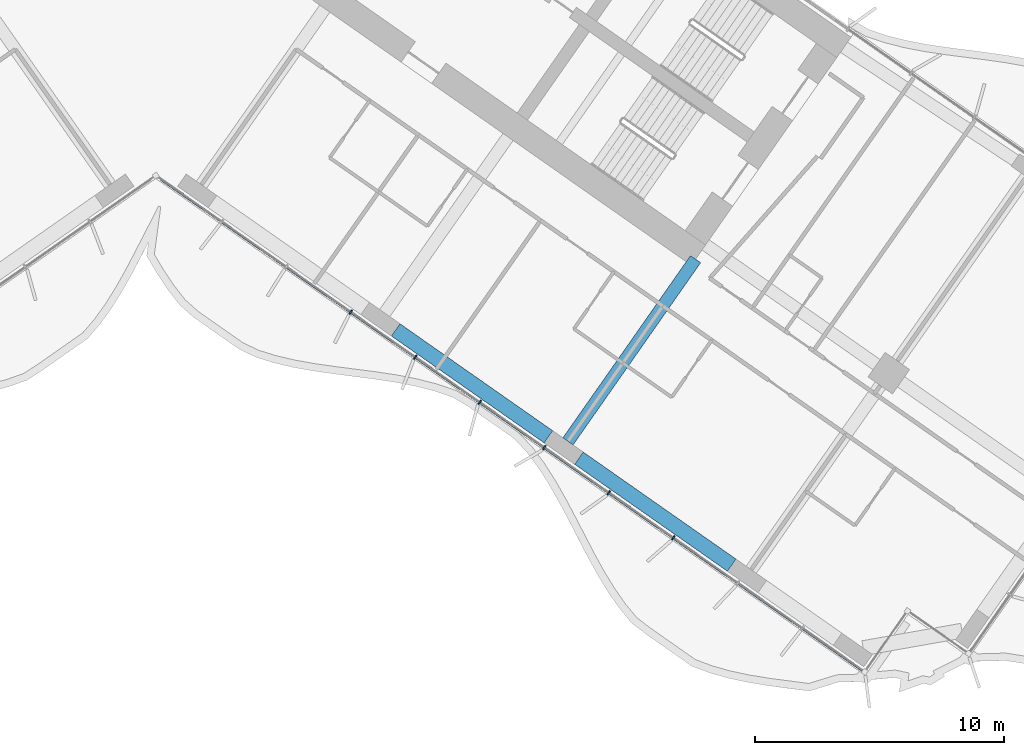
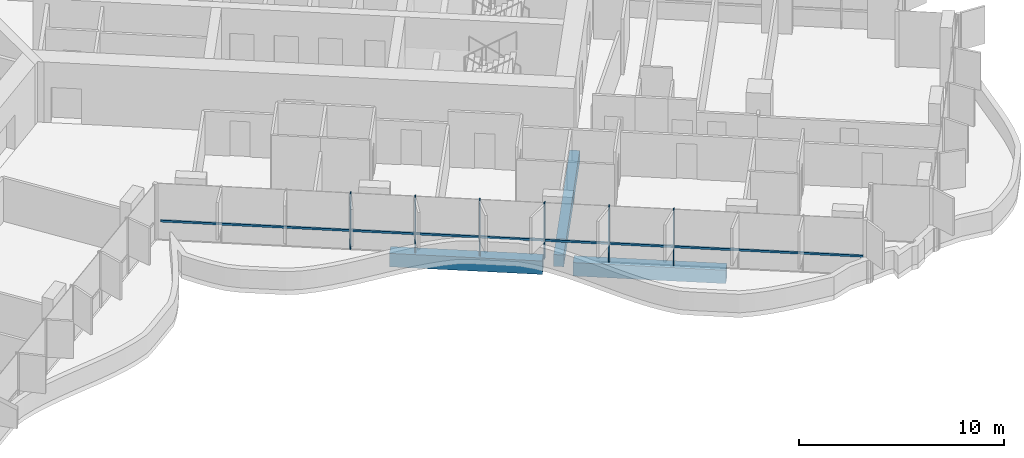
# One storey, part 5 of 23: 7 members, 3 beams, 1 element without a shape of its own.
"""IFC4 building model written with IfcOpenShell, lengths in metres."""

from ifc_helpers import new_model, si_unit, direction, frame, origin, origin_2d, place, context, subcontext, project, spatial, rectangle, extrude, material, material_profile, profile_set, type_object, element, aggregate, save


model = new_model("IFC4")

# Units and contexts
model_context = context("Model", 3, precision=1e-05, world=origin(), true_north=direction((0.0, 1.0)))
body_context = subcontext(model_context, "Body", "Model", "MODEL_VIEW")
ifc_project = project(units=[si_unit("LENGTHUNIT", "METRE"), si_unit("AREAUNIT", "SQUARE_METRE"), si_unit("VOLUMEUNIT", "CUBIC_METRE"), si_unit("PLANEANGLEUNIT", "RADIAN"), si_unit("MASSUNIT", "GRAM", prefix="KILO")], contexts=[model_context])

# Site, building, storey
site_placement = place(None, origin())
site = spatial("IfcSite", under=ifc_project, at=site_placement, CompositionType="ELEMENT")
building_placement = place(site_placement, origin())
building = spatial("IfcBuilding", under=site, at=building_placement, Name="Tel Ilan Convention Tower", CompositionType="ELEMENT")
storey_placement = place(building_placement, frame((0.0, 0.0, 108.5)))
storey = spatial("IfcBuildingStorey", under=building, at=storey_placement, Name="L23", CompositionType="ELEMENT", Elevation=108.5)

# Beams
ifc_material_1 = material(Name="Concrete C40/50", Category="concrete")
ifc_material_profile_1 = material_profile(ifc_material_1, rectangle(XDim=0.5, YDim=0.699951171875, at=origin_2d()), Name="RC 500x700")
ifc_profile_set_1 = profile_set([ifc_material_profile_1], Name="Concrete C40/50")
beam_type_1 = type_object("IfcBeamType", Name="Beam RC 500x700 Concrete C40/50", PredefinedType="BEAM", material=ifc_profile_set_1)
beam_placement = place(storey_placement, frame((16.58203125, -23.391357421875, -0.6298828125), z_axis=(0.573584999642, 0.819146048141, 0.0), x_axis=(-0.819146048141, 0.573584999642, 0.0)))
element("IfcBeam", 1, at=beam_placement, inside=storey, type_object=beam_type_1, Name="L23 beam E-E-F3-core", PredefinedType="BEAM", context=body_context, shape_type="SweptSolid", body=[
    extrude(rectangle(XDim=0.5, YDim=0.699951171875, at=origin_2d()), origin(), (0.0, 0.0, 1.0), 8.949951171875),
])
ifc_material_2 = material(Name="Concrete C40/50", Category="concrete")
ifc_material_profile_2 = material_profile(ifc_material_2, rectangle(XDim=0.60009765625, YDim=0.800048828125, at=origin_2d()), Name="RC 600x800")
ifc_profile_set_2 = profile_set([ifc_material_profile_2], Name="Concrete C40/50")
beam_type_2 = type_object("IfcBeamType", Name="Beam RC 600x800 Concrete C40/50", PredefinedType="BEAM", material=ifc_profile_set_2)
for number, where, z_axis, x_axis, name in (
    (2, (9.652099609375, -18.905029296875, -0.679931640625), (0.81915238829, -0.573575945067, 0.0), (0.573575945067, 0.81915238829, 0.0), "L23 beam E-E-F2-E-F3"),
    (3, (17.0244140625, -24.0673828125, -0.679931640625), (0.81915238829, -0.573575945067, 0.0), (0.573575945067, 0.81915238829, 0.0), "L23 beam E-E-F3-E-F4"),
):
    element("IfcBeam", number, at=place(storey_placement, frame(where, z_axis=z_axis, x_axis=x_axis)), inside=storey, type_object=beam_type_2, Name=name, PredefinedType="BEAM", context=body_context, shape_type="SweptSolid", body=[
        extrude(rectangle(XDim=0.60009765625, YDim=0.800048828125, at=origin_2d()), origin(), (0.0, 0.0, 1.0), 7.5),
    ])

# Curtain wall, members
ifc_material_3 = material(Name="Aluminium, bronze anodised", Category="aluminium")
curtain_wall_type = type_object("IfcCurtainWallType", Name="CW1 UNITISED CURTAIN WALL, HOTEL TINTED GLASS", PredefinedType="NOTDEFINED", material=ifc_material_3)
curtain_wall_placement = place(storey_placement, origin())
curtain_wall = element("IfcCurtainWall", 4, at=curtain_wall_placement, inside=storey, type_object=curtain_wall_type, Name="Curtain wall CW1-19.02", PredefinedType="NOTDEFINED")
ifc_material_4 = material(Name="Aluminium, bronze anodised", Category="aluminium")
ifc_material_profile_3 = material_profile(ifc_material_4, rectangle(XDim=0.06005859375, YDim=0.199951171875, at=origin_2d()), Name="CW MULLION 60x200")
ifc_profile_set_3 = profile_set([ifc_material_profile_3], Name="Aluminium, bronze anodised")
member_type_1 = type_object("IfcMemberType", Name="CW MULLION 60x200", PredefinedType="MULLION", material=ifc_profile_set_3)
member_1_placement = place(storey_placement, frame((7.842529296875, -18.1875, 0.0), z_axis=(0.0, 0.0, 1.0), x_axis=(0.819152044289, -0.573576436351, 0.0)))
member_1 = element("IfcMember", 5, at=member_1_placement, type_object=member_type_1, Name="Mullion", PredefinedType="MULLION", context=body_context, shape_type="SweptSolid", body=[
    extrude(rectangle(XDim=0.06005859375, YDim=0.199951171875, at=origin_2d()), origin(), (0.0, 0.0, 1.0), 3.320068359375),
])
member_2_placement = place(storey_placement, frame((10.4375, -20.004638671875, 0.0), z_axis=(0.0, 0.0, 1.0), x_axis=(0.819152044289, -0.573576436351, 0.0)))
member_2 = element("IfcMember", 6, at=member_2_placement, type_object=member_type_1, Name="Mullion", PredefinedType="MULLION", context=body_context, shape_type="SweptSolid", body=[
    extrude(rectangle(XDim=0.06005859375, YDim=0.199951171875, at=origin_2d()), origin(), (0.0, 0.0, 1.0), 3.320068359375),
])
member_3_placement = place(storey_placement, frame((13.03271484375, -21.821533203125, 0.0), z_axis=(0.0, 0.0, 1.0), x_axis=(0.819152044289, -0.573576436351, 0.0)))
member_3 = element("IfcMember", 7, at=member_3_placement, type_object=member_type_1, Name="Mullion", PredefinedType="MULLION", context=body_context, shape_type="SweptSolid", body=[
    extrude(rectangle(XDim=0.06005859375, YDim=0.199951171875, at=origin_2d()), origin(), (0.0, 0.0, 1.0), 3.320068359375),
])
member_4_placement = place(storey_placement, frame((15.627685546875, -23.638671875, 0.0), z_axis=(0.0, 0.0, 1.0), x_axis=(0.819152044289, -0.573576436351, 0.0)))
member_4 = element("IfcMember", 8, at=member_4_placement, type_object=member_type_1, Name="Mullion", PredefinedType="MULLION", context=body_context, shape_type="SweptSolid", body=[
    extrude(rectangle(XDim=0.06005859375, YDim=0.199951171875, at=origin_2d()), origin(), (0.0, 0.0, 1.0), 3.320068359375),
])
member_5_placement = place(storey_placement, frame((18.222900390625, -25.455810546875, 0.0), z_axis=(0.0, 0.0, 1.0), x_axis=(0.819152044289, -0.573576436351, 0.0)))
member_5 = element("IfcMember", 9, at=member_5_placement, type_object=member_type_1, Name="Mullion", PredefinedType="MULLION", context=body_context, shape_type="SweptSolid", body=[
    extrude(rectangle(XDim=0.06005859375, YDim=0.199951171875, at=origin_2d()), origin(), (0.0, 0.0, 1.0), 3.320068359375),
])
member_6_placement = place(storey_placement, frame((20.81787109375, -27.27294921875, 0.0), z_axis=(0.0, 0.0, 1.0), x_axis=(0.819152044289, -0.573576436351, 0.0)))
member_6 = element("IfcMember", 10, at=member_6_placement, type_object=member_type_1, Name="Mullion", PredefinedType="MULLION", context=body_context, shape_type="SweptSolid", body=[
    extrude(rectangle(XDim=0.06005859375, YDim=0.199951171875, at=origin_2d()), origin(), (0.0, 0.0, 1.0), 3.320068359375),
])
ifc_material_5 = material(Name="Aluminium, bronze anodised", Category="aluminium")
ifc_material_profile_4 = material_profile(ifc_material_5, rectangle(XDim=0.10009765625, YDim=0.1201171875, at=origin_2d()), Name="CW TRANSOM 100x120")
ifc_profile_set_4 = profile_set([ifc_material_profile_4], Name="Aluminium, bronze anodised")
member_type_2 = type_object("IfcMemberType", Name="CW TRANSOM 100x120", PredefinedType="USERDEFINED", material=ifc_profile_set_4)
member_7_placement = place(storey_placement, frame((0.22119140625, -12.850830078125, 1.10009765625), z_axis=(0.819151003602, -0.573577922604, 0.0), x_axis=(0.573577922604, 0.819151003602, 0.0)))
member_7 = element("IfcMember", 11, at=member_7_placement, type_object=member_type_2, Name="Transom", ObjectType="TRANSOM", PredefinedType="USERDEFINED", context=body_context, shape_type="SweptSolid", body=[
    extrude(rectangle(XDim=0.10009765625, YDim=0.1201171875, at=origin_2d()), origin(), (0.0, 0.0, 1.0), 34.447998046875),
])
aggregate(curtain_wall, [member_1, member_2, member_3, member_4, member_5, member_6, member_7])

save(model, "model.ifc")
